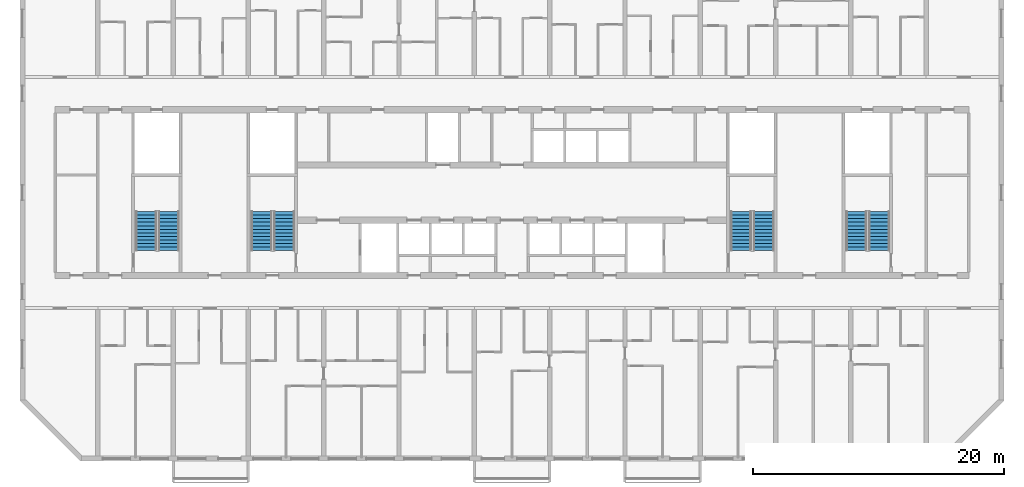
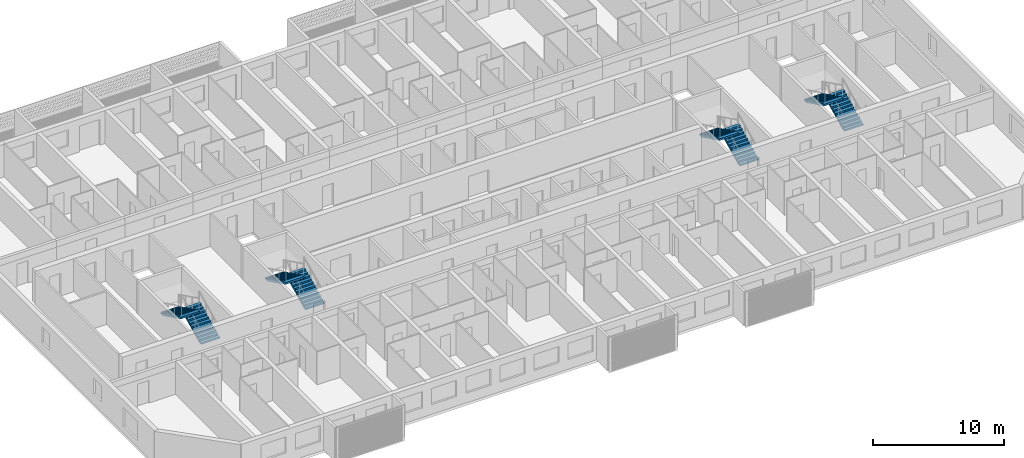
# One storey, part 14 of 24: 8 stair flights, 4 elements without a shape of their own.
"""IFC4 building model written with IfcOpenShell, lengths in metres."""

from ifc_helpers import new_model, si_unit, direction, frame, origin, place, context, subcontext, project, spatial, polyline, outline, extrude, material, layer, layer_set, type_object, element, aggregate, save


model = new_model("IFC4")

# Units and contexts
model_context = context("Model", 3, precision=1e-05, world=origin(), true_north=direction((0.0, 1.0)))
body_context = subcontext(model_context, "Body", "Model", "MODEL_VIEW")
ifc_project = project(units=[si_unit("LENGTHUNIT", "METRE"), si_unit("AREAUNIT", "SQUARE_METRE"), si_unit("VOLUMEUNIT", "CUBIC_METRE"), si_unit("PLANEANGLEUNIT", "RADIAN"), si_unit("MASSUNIT", "GRAM", prefix="KILO")], contexts=[model_context])

# Site, building, storey
site_placement = place(None, origin())
site = spatial("IfcSite", under=ifc_project, at=site_placement, CompositionType="ELEMENT")
building_placement = place(site_placement, origin())
building = spatial("IfcBuilding", under=site, at=building_placement, Name="Poui Terraces", CompositionType="ELEMENT")
storey_placement = place(building_placement, frame((0.0, 0.0, 109.199951171875)))
storey = spatial("IfcBuildingStorey", under=building, at=storey_placement, Name="L30", CompositionType="ELEMENT", Elevation=109.199951171875)

# Stair, stair flights
ifc_material = material(Name="Concrete 65 MPa", Category="concrete")
stair_type = type_object("IfcStairType", Name="EXIT STAIR 1650 65 MPA", PredefinedType="HALF_TURN_STAIR", material=ifc_material)
stair_1_placement = place(storey_placement, origin())
stair_1 = element("IfcStair", 1, at=stair_1_placement, inside=storey, type_object=stair_type, Name="L30 CORE STAIR EAST", PredefinedType="HALF_TURN_STAIR")
ifc_layer = layer(ifc_material, 0.14990234375)
ifc_layer_set = layer_set([ifc_layer], Name="Concrete 65 MPa")
stair_flight_type = type_object("IfcStairFlightType", Name="STAIR FLIGHT 12 RISERS 138 RISE 65 MPA", PredefinedType="STRAIGHT", material=ifc_layer_set)
stair_flight_1_placement = place(storey_placement, frame((71.050048828125, 16.60009765625, 0.0), z_axis=(0.0, 0.0, 1.0), x_axis=(0.0, 1.0, 0.0)))
stair_flight_1 = element("IfcStairFlight", 2, at=stair_flight_1_placement, type_object=stair_flight_type, Name="ST-CE flight 1", NumberOfRisers=12, NumberOfTreads=11, PredefinedType="STRAIGHT", RiserHeight=0.1375, TreadLength=0.28, context=body_context, shape_type="SweptSolid", body=[
    extrude(outline(polyline([(0.0, 0.0), (0.0, 0.137451171875), (0.280029296875, 0.137451171875), (0.280029296875, 0.27490234375), (0.56005859375, 0.27490234375), (0.56005859375, 0.41259765625), (0.840087890625, 0.41259765625), (0.840087890625, 0.550048828125), (1.1201171875, 0.550048828125), (1.1201171875, 0.6875), (1.39990234375, 0.6875), (1.39990234375, 0.824951171875), (1.679931640625, 0.824951171875), (1.679931640625, 0.96240234375), (1.9599609375, 0.96240234375), (1.9599609375, 1.10009765625), (2.239990234375, 1.10009765625), (2.239990234375, 1.237548828125), (2.52001953125, 1.237548828125), (2.52001953125, 1.375), (2.800048828125, 1.375), (2.800048828125, 1.512451171875), (3.080078125, 1.512451171875), (3.080078125, 1.64990234375), (3.080078125, 1.345458984375), (0.340087890625, 0.0), (0.0, 0.0)])), frame((0.0, 0.824951171875, 0.0), z_axis=(0.0, -1.0, 0.0), x_axis=(1.0, 0.0, 0.0)), (0.0, 0.0, 1.0), 1.64990234375),
])
stair_flight_2_placement = place(storey_placement, frame((69.25, 19.679931640625, 1.650146484375), z_axis=(0.0, 0.0, 1.0), x_axis=(0.0, -1.0, 0.0)))
stair_flight_2 = element("IfcStairFlight", 3, at=stair_flight_2_placement, type_object=stair_flight_type, Name="ST-CE flight 2", NumberOfRisers=12, NumberOfTreads=11, PredefinedType="STRAIGHT", RiserHeight=0.1375, TreadLength=0.28, context=body_context, shape_type="SweptSolid", body=[
    extrude(outline(polyline([(0.0, 0.0), (0.0, 0.137451171875), (0.280029296875, 0.137451171875), (0.280029296875, 0.27490234375), (0.56005859375, 0.27490234375), (0.56005859375, 0.41259765625), (0.840087890625, 0.41259765625), (0.840087890625, 0.550048828125), (1.1201171875, 0.550048828125), (1.1201171875, 0.6875), (1.39990234375, 0.6875), (1.39990234375, 0.824951171875), (1.679931640625, 0.824951171875), (1.679931640625, 0.96240234375), (1.9599609375, 0.96240234375), (1.9599609375, 1.10009765625), (2.239990234375, 1.10009765625), (2.239990234375, 1.237548828125), (2.52001953125, 1.237548828125), (2.52001953125, 1.375), (2.800048828125, 1.375), (2.800048828125, 1.512451171875), (3.080078125, 1.512451171875), (3.080078125, 1.64990234375), (3.080078125, 1.345458984375), (0.340087890625, 0.0), (0.0, 0.0)])), frame((0.0, 0.824951171875, 0.0), z_axis=(0.0, -1.0, 0.0), x_axis=(1.0, 0.0, 0.0)), (0.0, 0.0, 1.0), 1.64990234375),
])
aggregate(stair_1, [stair_flight_1, stair_flight_2])

stair_2_placement = place(storey_placement, origin())
stair_2 = element("IfcStair", 4, at=stair_2_placement, inside=storey, type_object=stair_type, Name="L30 CORE STAIR WEST", PredefinedType="HALF_TURN_STAIR")
stair_flight_3_placement = place(storey_placement, frame((32.85009765625, 16.60009765625, 0.0), z_axis=(0.0, 0.0, 1.0), x_axis=(0.0, 1.0, 0.0)))
stair_flight_3 = element("IfcStairFlight", 5, at=stair_flight_3_placement, type_object=stair_flight_type, Name="ST-CW flight 1", NumberOfRisers=12, NumberOfTreads=11, PredefinedType="STRAIGHT", RiserHeight=0.1375, TreadLength=0.28, context=body_context, shape_type="SweptSolid", body=[
    extrude(outline(polyline([(0.0, 0.0), (0.0, 0.137451171875), (0.280029296875, 0.137451171875), (0.280029296875, 0.27490234375), (0.56005859375, 0.27490234375), (0.56005859375, 0.41259765625), (0.840087890625, 0.41259765625), (0.840087890625, 0.550048828125), (1.1201171875, 0.550048828125), (1.1201171875, 0.6875), (1.39990234375, 0.6875), (1.39990234375, 0.824951171875), (1.679931640625, 0.824951171875), (1.679931640625, 0.96240234375), (1.9599609375, 0.96240234375), (1.9599609375, 1.10009765625), (2.239990234375, 1.10009765625), (2.239990234375, 1.237548828125), (2.52001953125, 1.237548828125), (2.52001953125, 1.375), (2.800048828125, 1.375), (2.800048828125, 1.512451171875), (3.080078125, 1.512451171875), (3.080078125, 1.64990234375), (3.080078125, 1.345458984375), (0.340087890625, 0.0), (0.0, 0.0)])), frame((0.0, 0.824951171875, 0.0), z_axis=(0.0, -1.0, 0.0), x_axis=(1.0, 0.0, 0.0)), (0.0, 0.0, 1.0), 1.64990234375),
])
stair_flight_4_placement = place(storey_placement, frame((31.050048828125, 19.679931640625, 1.650146484375), z_axis=(0.0, 0.0, 1.0), x_axis=(0.0, -1.0, 0.0)))
stair_flight_4 = element("IfcStairFlight", 6, at=stair_flight_4_placement, type_object=stair_flight_type, Name="ST-CW flight 2", NumberOfRisers=12, NumberOfTreads=11, PredefinedType="STRAIGHT", RiserHeight=0.1375, TreadLength=0.28, context=body_context, shape_type="SweptSolid", body=[
    extrude(outline(polyline([(0.0, 0.0), (0.0, 0.137451171875), (0.280029296875, 0.137451171875), (0.280029296875, 0.27490234375), (0.56005859375, 0.27490234375), (0.56005859375, 0.41259765625), (0.840087890625, 0.41259765625), (0.840087890625, 0.550048828125), (1.1201171875, 0.550048828125), (1.1201171875, 0.6875), (1.39990234375, 0.6875), (1.39990234375, 0.824951171875), (1.679931640625, 0.824951171875), (1.679931640625, 0.96240234375), (1.9599609375, 0.96240234375), (1.9599609375, 1.10009765625), (2.239990234375, 1.10009765625), (2.239990234375, 1.237548828125), (2.52001953125, 1.237548828125), (2.52001953125, 1.375), (2.800048828125, 1.375), (2.800048828125, 1.512451171875), (3.080078125, 1.512451171875), (3.080078125, 1.64990234375), (3.080078125, 1.345458984375), (0.340087890625, 0.0), (0.0, 0.0)])), frame((0.0, 0.824951171875, 0.0), z_axis=(0.0, -1.0, 0.0), x_axis=(1.0, 0.0, 0.0)), (0.0, 0.0, 1.0), 1.64990234375),
])
aggregate(stair_2, [stair_flight_3, stair_flight_4])

stair_3_placement = place(storey_placement, origin())
stair_3 = element("IfcStair", 7, at=stair_3_placement, inside=storey, type_object=stair_type, Name="L30 TIP STAIR EAST", PredefinedType="HALF_TURN_STAIR")
stair_flight_5_placement = place(storey_placement, frame((80.25, 16.60009765625, 0.0), z_axis=(0.0, 0.0, 1.0), x_axis=(0.0, 1.0, 0.0)))
stair_flight_5 = element("IfcStairFlight", 8, at=stair_flight_5_placement, type_object=stair_flight_type, Name="ST-E flight 1", NumberOfRisers=12, NumberOfTreads=11, PredefinedType="STRAIGHT", RiserHeight=0.1375, TreadLength=0.28, context=body_context, shape_type="SweptSolid", body=[
    extrude(outline(polyline([(0.0, 0.0), (0.0, 0.137451171875), (0.280029296875, 0.137451171875), (0.280029296875, 0.27490234375), (0.56005859375, 0.27490234375), (0.56005859375, 0.41259765625), (0.840087890625, 0.41259765625), (0.840087890625, 0.550048828125), (1.1201171875, 0.550048828125), (1.1201171875, 0.6875), (1.39990234375, 0.6875), (1.39990234375, 0.824951171875), (1.679931640625, 0.824951171875), (1.679931640625, 0.96240234375), (1.9599609375, 0.96240234375), (1.9599609375, 1.10009765625), (2.239990234375, 1.10009765625), (2.239990234375, 1.237548828125), (2.52001953125, 1.237548828125), (2.52001953125, 1.375), (2.800048828125, 1.375), (2.800048828125, 1.512451171875), (3.080078125, 1.512451171875), (3.080078125, 1.64990234375), (3.080078125, 1.345458984375), (0.340087890625, 0.0), (0.0, 0.0)])), frame((0.0, 0.824951171875, 0.0), z_axis=(0.0, -1.0, 0.0), x_axis=(1.0, 0.0, 0.0)), (0.0, 0.0, 1.0), 1.64990234375),
])
stair_flight_6_placement = place(storey_placement, frame((78.449951171875, 19.679931640625, 1.650146484375), z_axis=(0.0, 0.0, 1.0), x_axis=(0.0, -1.0, 0.0)))
stair_flight_6 = element("IfcStairFlight", 9, at=stair_flight_6_placement, type_object=stair_flight_type, Name="ST-E flight 2", NumberOfRisers=12, NumberOfTreads=11, PredefinedType="STRAIGHT", RiserHeight=0.1375, TreadLength=0.28, context=body_context, shape_type="SweptSolid", body=[
    extrude(outline(polyline([(0.0, 0.0), (0.0, 0.137451171875), (0.280029296875, 0.137451171875), (0.280029296875, 0.27490234375), (0.56005859375, 0.27490234375), (0.56005859375, 0.41259765625), (0.840087890625, 0.41259765625), (0.840087890625, 0.550048828125), (1.1201171875, 0.550048828125), (1.1201171875, 0.6875), (1.39990234375, 0.6875), (1.39990234375, 0.824951171875), (1.679931640625, 0.824951171875), (1.679931640625, 0.96240234375), (1.9599609375, 0.96240234375), (1.9599609375, 1.10009765625), (2.239990234375, 1.10009765625), (2.239990234375, 1.237548828125), (2.52001953125, 1.237548828125), (2.52001953125, 1.375), (2.800048828125, 1.375), (2.800048828125, 1.512451171875), (3.080078125, 1.512451171875), (3.080078125, 1.64990234375), (3.080078125, 1.345458984375), (0.340087890625, 0.0), (0.0, 0.0)])), frame((0.0, 0.824951171875, 0.0), z_axis=(0.0, -1.0, 0.0), x_axis=(1.0, 0.0, 0.0)), (0.0, 0.0, 1.0), 1.64990234375),
])
aggregate(stair_3, [stair_flight_5, stair_flight_6])

stair_4_placement = place(storey_placement, origin())
stair_4 = element("IfcStair", 10, at=stair_4_placement, inside=storey, type_object=stair_type, Name="L30 TIP STAIR WEST", PredefinedType="HALF_TURN_STAIR")
stair_flight_7_placement = place(storey_placement, frame((23.64990234375, 16.60009765625, 0.0), z_axis=(0.0, 0.0, 1.0), x_axis=(0.0, 1.0, 0.0)))
stair_flight_7 = element("IfcStairFlight", 11, at=stair_flight_7_placement, type_object=stair_flight_type, Name="ST-W flight 1", NumberOfRisers=12, NumberOfTreads=11, PredefinedType="STRAIGHT", RiserHeight=0.1375, TreadLength=0.28, context=body_context, shape_type="SweptSolid", body=[
    extrude(outline(polyline([(0.0, 0.0), (0.0, 0.137451171875), (0.280029296875, 0.137451171875), (0.280029296875, 0.27490234375), (0.56005859375, 0.27490234375), (0.56005859375, 0.41259765625), (0.840087890625, 0.41259765625), (0.840087890625, 0.550048828125), (1.1201171875, 0.550048828125), (1.1201171875, 0.6875), (1.39990234375, 0.6875), (1.39990234375, 0.824951171875), (1.679931640625, 0.824951171875), (1.679931640625, 0.96240234375), (1.9599609375, 0.96240234375), (1.9599609375, 1.10009765625), (2.239990234375, 1.10009765625), (2.239990234375, 1.237548828125), (2.52001953125, 1.237548828125), (2.52001953125, 1.375), (2.800048828125, 1.375), (2.800048828125, 1.512451171875), (3.080078125, 1.512451171875), (3.080078125, 1.64990234375), (3.080078125, 1.345458984375), (0.340087890625, 0.0), (0.0, 0.0)])), frame((0.0, 0.824951171875, 0.0), z_axis=(0.0, -1.0, 0.0), x_axis=(1.0, 0.0, 0.0)), (0.0, 0.0, 1.0), 1.64990234375),
])
stair_flight_8_placement = place(storey_placement, frame((21.85009765625, 19.679931640625, 1.650146484375), z_axis=(0.0, 0.0, 1.0), x_axis=(0.0, -1.0, 0.0)))
stair_flight_8 = element("IfcStairFlight", 12, at=stair_flight_8_placement, type_object=stair_flight_type, Name="ST-W flight 2", NumberOfRisers=12, NumberOfTreads=11, PredefinedType="STRAIGHT", RiserHeight=0.1375, TreadLength=0.28, context=body_context, shape_type="SweptSolid", body=[
    extrude(outline(polyline([(0.0, 0.0), (0.0, 0.137451171875), (0.280029296875, 0.137451171875), (0.280029296875, 0.27490234375), (0.56005859375, 0.27490234375), (0.56005859375, 0.41259765625), (0.840087890625, 0.41259765625), (0.840087890625, 0.550048828125), (1.1201171875, 0.550048828125), (1.1201171875, 0.6875), (1.39990234375, 0.6875), (1.39990234375, 0.824951171875), (1.679931640625, 0.824951171875), (1.679931640625, 0.96240234375), (1.9599609375, 0.96240234375), (1.9599609375, 1.10009765625), (2.239990234375, 1.10009765625), (2.239990234375, 1.237548828125), (2.52001953125, 1.237548828125), (2.52001953125, 1.375), (2.800048828125, 1.375), (2.800048828125, 1.512451171875), (3.080078125, 1.512451171875), (3.080078125, 1.64990234375), (3.080078125, 1.345458984375), (0.340087890625, 0.0), (0.0, 0.0)])), frame((0.0, 0.824951171875, 0.0), z_axis=(0.0, -1.0, 0.0), x_axis=(1.0, 0.0, 0.0)), (0.0, 0.0, 1.0), 1.64990234375),
])
aggregate(stair_4, [stair_flight_7, stair_flight_8])

save(model, "model.ifc")
